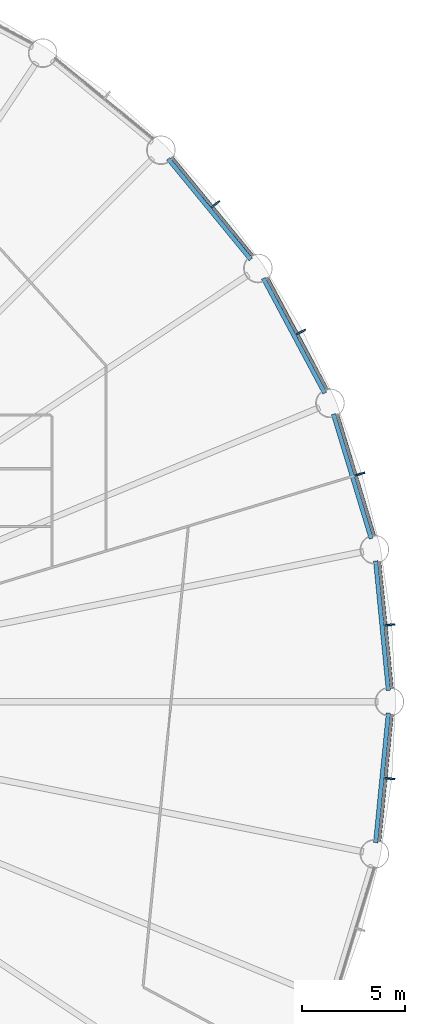
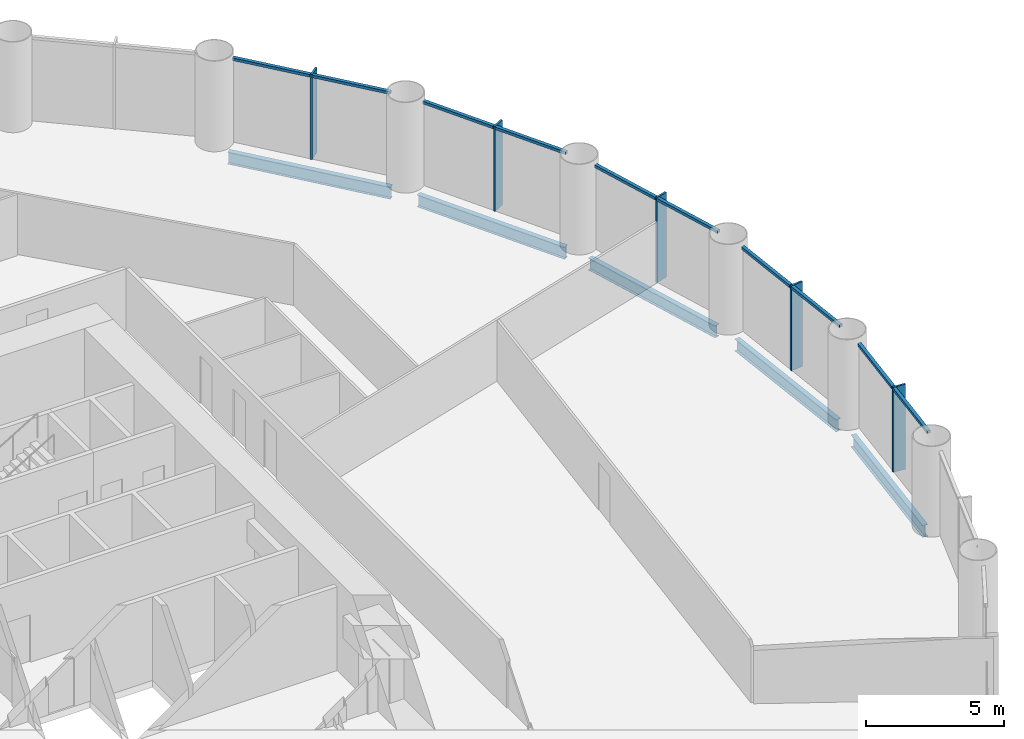
# One storey, part 6 of 14: 15 members, 5 beams, 5 elements without a shape of their own.
"""IFC4 building model written with IfcOpenShell, lengths in metres."""

from ifc_helpers import new_model, si_unit, direction, frame, origin, origin_2d, place, context, subcontext, project, spatial, rectangle, i_section, extrude, material, material_profile, profile_set, type_object, element, aggregate, save


model = new_model("IFC4")

# Units and contexts
model_context = context("Model", 3, precision=1e-05, world=origin(), true_north=direction((0.0, 1.0)))
body_context = subcontext(model_context, "Body", "Model", "MODEL_VIEW")
ifc_project = project(units=[si_unit("LENGTHUNIT", "METRE"), si_unit("AREAUNIT", "SQUARE_METRE"), si_unit("VOLUMEUNIT", "CUBIC_METRE"), si_unit("PLANEANGLEUNIT", "RADIAN"), si_unit("MASSUNIT", "GRAM", prefix="KILO")], contexts=[model_context])

# Site, building, storey
site_placement = place(None, origin())
site = spatial("IfcSite", under=ifc_project, at=site_placement, CompositionType="ELEMENT")
building_placement = place(site_placement, origin())
building = spatial("IfcBuilding", under=site, at=building_placement, Name="Corvane Civic Tower", CompositionType="ELEMENT")
storey_placement = place(building_placement, frame((0.0, 0.0, 49.0)))
storey = spatial("IfcBuildingStorey", under=building, at=storey_placement, Name="L10", CompositionType="ELEMENT", Elevation=49.0)

# Beams
ifc_material_1 = material(Name="Steel ASTM A992 Gr 50", Category="steel")
ifc_material_profile_1 = material_profile(ifc_material_1, i_section(OverallWidth=0.209228515625, OverallDepth=0.533447265625, WebThickness=0.01025390625, FlangeThickness=0.015625, at=origin_2d()), Name="W21X62")
ifc_profile_set_1 = profile_set([ifc_material_profile_1], Name="Steel ASTM A992 Gr 50")
beam_type = type_object("IfcBeamType", Name="EDGE BEAM W21X62", PredefinedType="BEAM", material=ifc_profile_set_1)
beam_placement = place(storey_placement, frame((27.0068359375, 26.23291015625, -0.566650390625), z_axis=(0.634386787141, -0.773015785286, 0.0), x_axis=(0.773015785286, 0.634386787141, 0.0)))
element("IfcBeam", 1, at=beam_placement, inside=storey, type_object=beam_type, Name="BM-L10-E05", PredefinedType="BEAM", context=body_context, shape_type="SweptSolid", body=[
    extrude(i_section(OverallWidth=0.209228515625, OverallDepth=0.533447265625, WebThickness=0.01025390625, FlangeThickness=0.015625, at=origin_2d()), origin(), (0.0, 0.0, 1.0), 6.290771484375),
])
for number, where, z_axis, x_axis, name in (
    (2, (31.605712890625, 20.4599609375, -0.566650390625), (0.471405897311, -0.881916367906, 0.0), (0.881916367906, 0.471405897311, 0.0), "BM-L10-E06"),
    (3, (34.989990234375, 13.90087890625, -0.566650390625), (0.290273452184, -0.956943740748, 0.0), (0.956943740748, 0.290273452184, 0.0), "BM-L10-E07"),
):
    element("IfcBeam", number, at=place(storey_placement, frame(where, z_axis=z_axis, x_axis=x_axis)), inside=storey, type_object=beam_type, Name=name, PredefinedType="BEAM", context=body_context, shape_type="SweptSolid", body=[
        extrude(i_section(OverallWidth=0.209228515625, OverallDepth=0.533447265625, WebThickness=0.01025390625, FlangeThickness=0.015625, at=origin_2d()), origin(), (0.0, 0.0, 1.0), 6.290283203125),
    ])
for number, where, z_axis, x_axis, name in (
    (4, (37.029541015625, 6.8076171875, -0.566650390625), (0.097997284622, -0.995186682089, 0.0), (0.995186682089, 0.097997284622, 0.0), "BM-L10-E08"),
    (5, (37.64599609375, -0.54736328125, -0.566650390625), (-0.097997284622, -0.995186682089, 0.0), (0.995186682089, -0.097997284622, 0.0), "BM-L10-E09"),
):
    element("IfcBeam", number, at=place(storey_placement, frame(where, z_axis=z_axis, x_axis=x_axis)), inside=storey, type_object=beam_type, Name=name, PredefinedType="BEAM", context=body_context, shape_type="SweptSolid", body=[
        extrude(i_section(OverallWidth=0.209228515625, OverallDepth=0.533447265625, WebThickness=0.01025390625, FlangeThickness=0.015625, at=origin_2d()), origin(), (0.0, 0.0, 1.0), 6.29052734375),
    ])

# Curtain wall, members
ifc_material_2 = material(Name="Anodised aluminium bronze", Category="aluminium")
curtain_wall_type = type_object("IfcCurtainWallType", Name="TOWER CW-T1 STICK CURTAIN WALL", PredefinedType="NOTDEFINED", material=ifc_material_2)
curtain_wall_1_placement = place(storey_placement, origin())
curtain_wall_1 = element("IfcCurtainWall", 6, at=curtain_wall_1_placement, inside=storey, type_object=curtain_wall_type, Name="Curtain wall CW-T1 L10 bay 05", PredefinedType="NOTDEFINED")
ifc_material_3 = material(Name="Anodised aluminium bronze", Category="aluminium")
ifc_material_profile_2 = material_profile(ifc_material_3, rectangle(XDim=0.139892578125, YDim=0.1201171875, at=origin_2d()), Name="TOWER CW-T1 TRANSOM 140x120")
ifc_profile_set_2 = profile_set([ifc_material_profile_2], Name="Anodised aluminium bronze")
member_type_1 = type_object("IfcMemberType", Name="TOWER CW-T1 TRANSOM 140x120", PredefinedType="USERDEFINED", material=ifc_profile_set_2)
member_1_placement = place(storey_placement, frame((27.20654296875, 26.271728515625, 3.68994140625), z_axis=(0.634403652865, -0.773001943873, 0.0), x_axis=(0.773001943873, 0.634403652865, 0.0)))
member_1 = element("IfcMember", 7, at=member_1_placement, type_object=member_type_1, Name="Transom CW-T1 L10 05.1", ObjectType="TRANSOM", PredefinedType="USERDEFINED", context=body_context, shape_type="SweptSolid", body=[
    extrude(rectangle(XDim=0.139892578125, YDim=0.1201171875, at=origin_2d()), origin(), (0.0, 0.0, 1.0), 3.008544921875),
])
member_2_placement = place(storey_placement, frame((29.166015625, 23.88427734375, 3.68994140625), z_axis=(0.634355161466, -0.773041738279, 0.0), x_axis=(0.773041738279, 0.634355161466, 0.0)))
member_2 = element("IfcMember", 8, at=member_2_placement, type_object=member_type_1, Name="Transom CW-T1 L10 05.2", ObjectType="TRANSOM", PredefinedType="USERDEFINED", context=body_context, shape_type="SweptSolid", body=[
    extrude(rectangle(XDim=0.139892578125, YDim=0.1201171875, at=origin_2d()), origin(), (0.0, 0.0, 1.0), 3.008544921875),
])

curtain_wall_2_placement = place(storey_placement, origin())
curtain_wall_2 = element("IfcCurtainWall", 9, at=curtain_wall_2_placement, inside=storey, type_object=curtain_wall_type, Name="Curtain wall CW-T1 L10 bay 06", PredefinedType="NOTDEFINED")
member_3_placement = place(storey_placement, frame((31.809326171875, 20.459228515625, 3.68994140625), z_axis=(0.471392506424, -0.881923525532, 0.0), x_axis=(0.881923525532, 0.471392506424, 0.0)))
member_3 = element("IfcMember", 10, at=member_3_placement, type_object=member_type_1, Name="Transom CW-T1 L10 06.1", ObjectType="TRANSOM", PredefinedType="USERDEFINED", context=body_context, shape_type="SweptSolid", body=[
    extrude(rectangle(XDim=0.139892578125, YDim=0.1201171875, at=origin_2d()), origin(), (0.0, 0.0, 1.0), 3.008544921875),
])
member_4_placement = place(storey_placement, frame((33.26513671875, 17.7353515625, 3.68994140625), z_axis=(0.471392506424, -0.881923525532, 0.0), x_axis=(0.881923525532, 0.471392506424, 0.0)))
member_4 = element("IfcMember", 11, at=member_4_placement, type_object=member_type_1, Name="Transom CW-T1 L10 06.2", ObjectType="TRANSOM", PredefinedType="USERDEFINED", context=body_context, shape_type="SweptSolid", body=[
    extrude(rectangle(XDim=0.139892578125, YDim=0.1201171875, at=origin_2d()), origin(), (0.0, 0.0, 1.0), 3.008544921875),
])

curtain_wall_3_placement = place(storey_placement, origin())
curtain_wall_3 = element("IfcCurtainWall", 12, at=curtain_wall_3_placement, inside=storey, type_object=curtain_wall_type, Name="Curtain wall CW-T1 L10 bay 07", PredefinedType="NOTDEFINED")
member_5_placement = place(storey_placement, frame((35.189453125, 13.8603515625, 3.68994140625), z_axis=(0.290279914268, -0.956941780555, 0.0), x_axis=(0.956941780555, 0.290279914268, 0.0)))
member_5 = element("IfcMember", 13, at=member_5_placement, type_object=member_type_1, Name="Transom CW-T1 L10 07.1", ObjectType="TRANSOM", PredefinedType="USERDEFINED", context=body_context, shape_type="SweptSolid", body=[
    extrude(rectangle(XDim=0.139892578125, YDim=0.1201171875, at=origin_2d()), origin(), (0.0, 0.0, 1.0), 3.008544921875),
])
member_6_placement = place(storey_placement, frame((36.0859375, 10.90478515625, 3.68994140625), z_axis=(0.290279914268, -0.956941780555, 0.0), x_axis=(0.956941780555, 0.290279914268, 0.0)))
member_6 = element("IfcMember", 14, at=member_6_placement, type_object=member_type_1, Name="Transom CW-T1 L10 07.2", ObjectType="TRANSOM", PredefinedType="USERDEFINED", context=body_context, shape_type="SweptSolid", body=[
    extrude(rectangle(XDim=0.139892578125, YDim=0.1201171875, at=origin_2d()), origin(), (0.0, 0.0, 1.0), 3.008544921875),
])

curtain_wall_4_placement = place(storey_placement, origin())
curtain_wall_4 = element("IfcCurtainWall", 15, at=curtain_wall_4_placement, inside=storey, type_object=curtain_wall_type, Name="Curtain wall CW-T1 L10 bay 08", PredefinedType="NOTDEFINED")
member_7_placement = place(storey_placement, frame((37.21728515625, 6.72900390625, 3.68994140625), z_axis=(0.097944923917, -0.995191836722, 0.0), x_axis=(0.995191836722, 0.097944923917, 0.0)))
member_7 = element("IfcMember", 16, at=member_7_placement, type_object=member_type_1, Name="Transom CW-T1 L10 08.1", ObjectType="TRANSOM", PredefinedType="USERDEFINED", context=body_context, shape_type="SweptSolid", body=[
    extrude(rectangle(XDim=0.139892578125, YDim=0.1201171875, at=origin_2d()), origin(), (0.0, 0.0, 1.0), 3.008544921875),
])
member_8_placement = place(storey_placement, frame((37.52001953125, 3.6552734375, 3.68994140625), z_axis=(0.097944923917, -0.995191836722, 0.0), x_axis=(0.995191836722, 0.097944923917, 0.0)))
member_8 = element("IfcMember", 17, at=member_8_placement, type_object=member_type_1, Name="Transom CW-T1 L10 08.2", ObjectType="TRANSOM", PredefinedType="USERDEFINED", context=body_context, shape_type="SweptSolid", body=[
    extrude(rectangle(XDim=0.139892578125, YDim=0.1201171875, at=origin_2d()), origin(), (0.0, 0.0, 1.0), 3.008544921875),
])

curtain_wall_5_placement = place(storey_placement, origin())
curtain_wall_5 = element("IfcCurtainWall", 18, at=curtain_wall_5_placement, inside=storey, type_object=curtain_wall_type, Name="Curtain wall CW-T1 L10 bay 09", PredefinedType="NOTDEFINED")
member_9_placement = place(storey_placement, frame((37.814697265625, -0.6611328125, 3.68994140625), z_axis=(-0.097944923917, -0.995191836722, 0.0), x_axis=(0.995191836722, -0.097944923917, 0.0)))
member_9 = element("IfcMember", 19, at=member_9_placement, type_object=member_type_1, Name="Transom CW-T1 L10 09.1", ObjectType="TRANSOM", PredefinedType="USERDEFINED", context=body_context, shape_type="SweptSolid", body=[
    extrude(rectangle(XDim=0.139892578125, YDim=0.1201171875, at=origin_2d()), origin(), (0.0, 0.0, 1.0), 3.008544921875),
])
member_10_placement = place(storey_placement, frame((37.511962890625, -3.73486328125, 3.68994140625), z_axis=(-0.097944923917, -0.995191836722, 0.0), x_axis=(0.995191836722, -0.097944923917, 0.0)))
member_10 = element("IfcMember", 20, at=member_10_placement, type_object=member_type_1, Name="Transom CW-T1 L10 09.2", ObjectType="TRANSOM", PredefinedType="USERDEFINED", context=body_context, shape_type="SweptSolid", body=[
    extrude(rectangle(XDim=0.139892578125, YDim=0.1201171875, at=origin_2d()), origin(), (0.0, 0.0, 1.0), 3.008544921875),
])

# Member
ifc_material_4 = material(Name="Anodised aluminium bronze", Category="aluminium")
ifc_material_profile_3 = material_profile(ifc_material_4, rectangle(XDim=0.080078125, YDim=0.5, at=origin_2d()), Name="TOWER FIN MULLION 80x500 BRONZE")
ifc_profile_set_3 = profile_set([ifc_material_profile_3], Name="Anodised aluminium bronze")
member_type_2 = type_object("IfcMemberType", Name="TOWER FIN MULLION 80x500 BRONZE", PredefinedType="MULLION", material=ifc_profile_set_3)
member_11_placement = place(storey_placement, frame((29.295166015625, 24.0419921875, 0.0), z_axis=(0.0, 0.0, 1.0), x_axis=(0.634397218569, -0.773007224463, 0.0)))
member_11 = element("IfcMember", 21, at=member_11_placement, type_object=member_type_2, Name="Fin mullion 05 L10", PredefinedType="MULLION", context=body_context, shape_type="SweptSolid", body=[
    extrude(rectangle(XDim=0.080078125, YDim=0.5, at=origin_2d()), origin(), (0.0, 0.0, 1.0), 3.75),
])

aggregate(curtain_wall_1, [member_11, member_1, member_2])

member_12_placement = place(storey_placement, frame((33.422607421875, 17.86474609375, 0.0), z_axis=(0.0, 0.0, 1.0), x_axis=(0.471403725359, -0.881917528864, 0.0)))
member_12 = element("IfcMember", 22, at=member_12_placement, type_object=member_type_2, Name="Fin mullion 06 L10", PredefinedType="MULLION", context=body_context, shape_type="SweptSolid", body=[
    extrude(rectangle(XDim=0.080078125, YDim=0.5, at=origin_2d()), origin(), (0.0, 0.0, 1.0), 3.75),
])

aggregate(curtain_wall_2, [member_12, member_3, member_4])

member_13_placement = place(storey_placement, frame((36.265625, 11.001220703125, 0.0), z_axis=(0.0, 0.0, 1.0), x_axis=(0.290278397654, -0.956942240606, 0.0)))
member_13 = element("IfcMember", 23, at=member_13_placement, type_object=member_type_2, Name="Fin mullion 07 L10", PredefinedType="MULLION", context=body_context, shape_type="SweptSolid", body=[
    extrude(rectangle(XDim=0.080078125, YDim=0.5, at=origin_2d()), origin(), (0.0, 0.0, 1.0), 3.75),
])

aggregate(curtain_wall_3, [member_13, member_5, member_6])

member_14_placement = place(storey_placement, frame((37.715087890625, 3.714599609375, 0.0), z_axis=(0.0, 0.0, 1.0), x_axis=(0.098006239521, -0.995185800248, 0.0)))
member_14 = element("IfcMember", 24, at=member_14_placement, type_object=member_type_2, Name="Fin mullion 08 L10", PredefinedType="MULLION", context=body_context, shape_type="SweptSolid", body=[
    extrude(rectangle(XDim=0.080078125, YDim=0.5, at=origin_2d()), origin(), (0.0, 0.0, 1.0), 3.75),
])

aggregate(curtain_wall_4, [member_14, member_7, member_8])

member_15_placement = place(storey_placement, frame((37.715087890625, -3.714599609375, 0.0), z_axis=(0.0, 0.0, 1.0), x_axis=(-0.098006239521, -0.995185800248, 0.0)))
member_15 = element("IfcMember", 25, at=member_15_placement, type_object=member_type_2, Name="Fin mullion 09 L10", PredefinedType="MULLION", context=body_context, shape_type="SweptSolid", body=[
    extrude(rectangle(XDim=0.080078125, YDim=0.5, at=origin_2d()), origin(), (0.0, 0.0, 1.0), 3.75),
])

aggregate(curtain_wall_5, [member_15, member_9, member_10])

save(model, "model.ifc")
